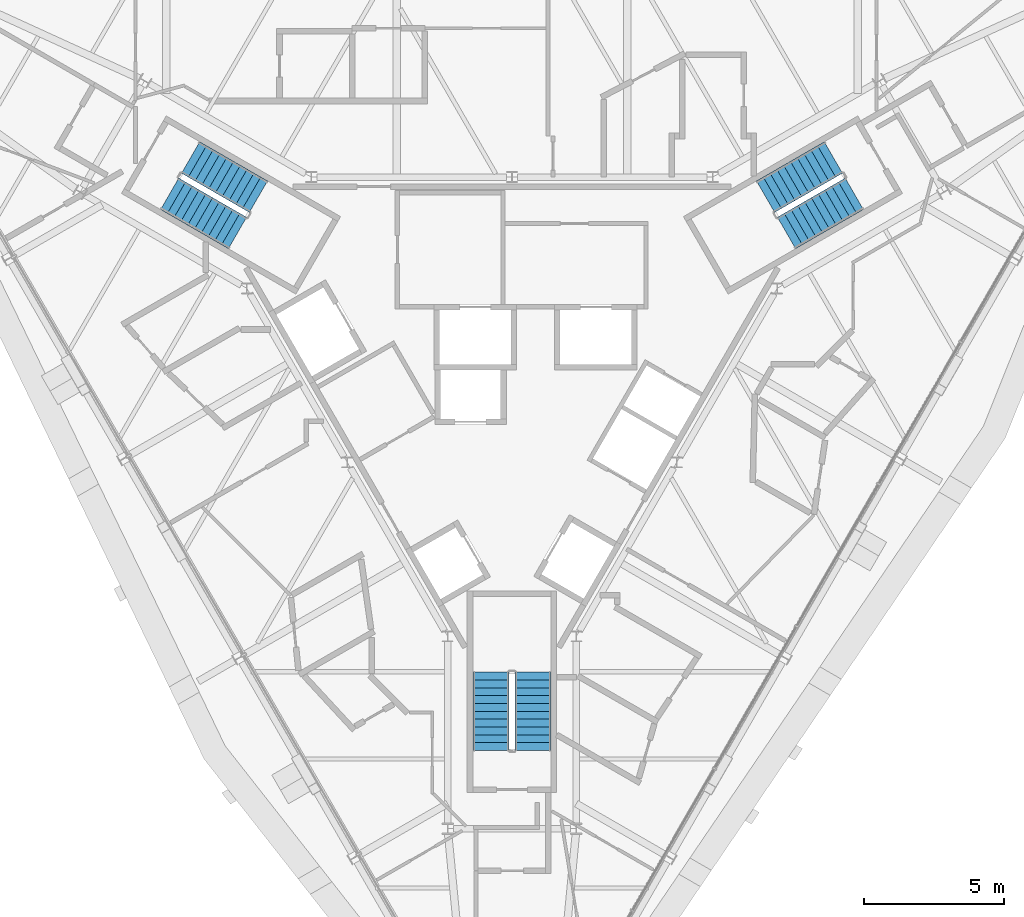
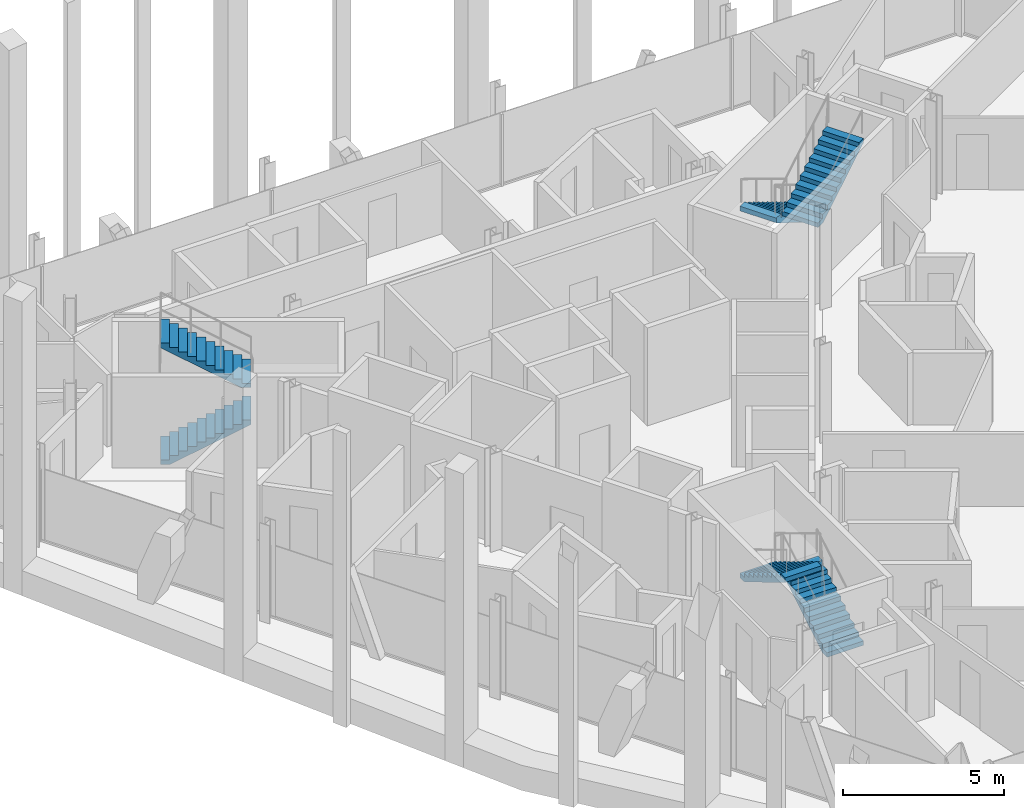
# One storey, part 13 of 15: 6 stair flights, 3 elements without a shape of their own.
"""IFC4 building model written with IfcOpenShell, lengths in metres."""

import ifcopenshell
import ifcopenshell.guid

model = None  # the IFC model being written
_history = None  # IfcOwnerHistory: only IFC2X3 demands one
_inside = {}  # id of a spatial element -> (the spatial element, [elements in it])
_under = {}  # id of a project, library or spatial element -> (it, [spatial elements below it])
_declared = {}  # id of a project -> (the project, [libraries it declares])
_typed = {}  # id of a type object -> (the type object, [elements of that type])
_made_of = {}  # id of a material, layer set ... -> (it, [elements and type objects made of it])


def new_model(schema):
    """Start an empty IFC model of exactly this schema.

    Asked for "IFC4X3", IfcOpenShell would pick the latest addendum, in which some entities
    have other attributes; the version numbers below select the first issue.
    IFC2X3 requires an IfcOwnerHistory on every rooted entity: one is made here for all.
    """
    global model, _history
    if schema == "IFC4X3":
        model = ifcopenshell.file(schema_version=(4, 3, 0, 0))
    else:
        model = ifcopenshell.file(schema=schema)
    _inside.clear()
    _under.clear()
    _declared.clear()
    _typed.clear()
    _made_of.clear()
    _history = None
    if model.schema == "IFC2X3":
        org = make("IfcOrganization", Name="unknown")
        user = make(
            "IfcPersonAndOrganization",
            ThePerson=make("IfcPerson", FamilyName="unknown"),
            TheOrganization=org,
        )
        app = make(
            "IfcApplication",
            ApplicationDeveloper=org,
            Version="unknown",
            ApplicationFullName="unknown",
            ApplicationIdentifier="unknown",
        )
        _history = make(
            "IfcOwnerHistory",
            OwningUser=user,
            OwningApplication=app,
            ChangeAction="ADDED",
            CreationDate=0,
        )
    return model


def make(cls, **values):
    """One entity of the class cls with the attributes given. An attribute that is None is left unset."""
    return model.create_entity(
        cls, **{name: value for name, value in values.items() if value is not None}
    )


def rooted(cls, **values):
    """An entity with a GlobalId (a new one), such as an element, a storey or a relation."""
    return make(cls, GlobalId=ifcopenshell.guid.new(), OwnerHistory=_history, **values)


def si_unit(unit_type, name, prefix=None):
    """IfcSIUnit, for example si_unit("LENGTHUNIT", "METRE", prefix="MILLI")."""
    return make("IfcSIUnit", UnitType=unit_type, Prefix=prefix, Name=name)


def assignment(units):
    """IfcUnitAssignment: the units of a project."""
    return None if units is None else make("IfcUnitAssignment", Units=units)


def point(xyz):
    """IfcCartesianPoint."""
    return None if xyz is None else make("IfcCartesianPoint", Coordinates=xyz)


def direction(xyz):
    """IfcDirection."""
    return None if xyz is None else make("IfcDirection", DirectionRatios=xyz)


def frame(location, z_axis=None, x_axis=None):
    """IfcAxis2Placement3D, a coordinate frame: its origin and axes. An axis left out is left unset."""
    return make(
        "IfcAxis2Placement3D",
        Location=point(location),
        Axis=direction(z_axis),
        RefDirection=direction(x_axis),
    )


def origin():
    """The frame at (0, 0, 0) with its axes left unset."""
    return frame((0.0, 0.0, 0.0))


def place(relative_to, where):
    """IfcLocalPlacement: puts the frame where relative to a parent placement (None: the world)."""
    return make(
        "IfcLocalPlacement", PlacementRelTo=relative_to, RelativePlacement=where
    )


def context(
    kind, dimensions, precision=None, world=None, true_north=None, identifier=None
):
    """IfcGeometricRepresentationContext, for example the 3D "Model" context."""
    return make(
        "IfcGeometricRepresentationContext",
        ContextIdentifier=identifier,
        ContextType=kind,
        CoordinateSpaceDimension=dimensions,
        Precision=precision,
        WorldCoordinateSystem=world,
        TrueNorth=true_north,
    )


def subcontext(parent, identifier, kind, view, scale=None):
    """IfcGeometricRepresentationSubContext, for example "Body" below "Model"."""
    return make(
        "IfcGeometricRepresentationSubContext",
        ContextIdentifier=identifier,
        ContextType=kind,
        ParentContext=parent,
        TargetScale=scale,
        TargetView=view,
    )


def project(units=None, contexts=None):
    """IfcProject with its units and contexts."""
    return rooted(
        "IfcProject",
        Name="project",
        RepresentationContexts=contexts,
        UnitsInContext=assignment(units),
    )


def spatial(cls, under=None, at=None, **own):
    """A site, building, storey or space (cls), placed at a placement, below another one or the project."""
    s = rooted(cls, ObjectPlacement=at, **own)
    if under is not None:
        _under.setdefault(under.id(), (under, []))[1].append(s)
    return s


def polyline(points):
    """IfcPolyline through the points."""
    return make("IfcPolyline", Points=[point(p) for p in points])


def outline(outer, holes=None, kind="AREA"):
    """IfcArbitraryClosedProfileDef: a profile drawn as a closed curve; with holes, ...WithVoids."""
    if holes is None:
        return make("IfcArbitraryClosedProfileDef", ProfileType=kind, OuterCurve=outer)
    return make(
        "IfcArbitraryProfileDefWithVoids",
        ProfileType=kind,
        OuterCurve=outer,
        InnerCurves=holes,
    )


def extrude(swept, where, along, depth):
    """IfcExtrudedAreaSolid: the profile swept, set in the frame where, extruded along a direction by depth."""
    return make(
        "IfcExtrudedAreaSolid",
        SweptArea=swept,
        Position=where,
        ExtrudedDirection=direction(along),
        Depth=depth,
    )


def shape(context_of_items, identifier, shape_type, items):
    """IfcShapeRepresentation: the items that make up one representation, for example the "Body"."""
    return make(
        "IfcShapeRepresentation",
        ContextOfItems=context_of_items,
        RepresentationIdentifier=identifier,
        RepresentationType=shape_type,
        Items=items,
    )


def material(Name=None, Category=None):
    """IfcMaterial."""
    return make("IfcMaterial", Name=Name, Category=Category)


def made_of(thing, what):
    """Note that an element or type object is made of a material, layer set ...; save() writes the relation."""
    if what is not None:
        _made_of.setdefault(what.id(), (what, []))[1].append(thing)
    return thing


def type_object(cls, material=None, **own):
    """A type object (cls), such as IfcWallType, which elements share."""
    return made_of(rooted(cls, **own), material)


def element(
    cls,
    number,
    at=None,
    inside=None,
    cuts=None,
    type_object=None,
    material=None,
    context=None,
    identifier="Body",
    shape_type=None,
    held_by="IfcProductDefinitionShape",
    body=None,
    shapes=None,
    **own,
):
    """One element of the class cls, such as IfcWall. Its Tag is "e" and its number.

    at: its placement. inside: the storey or other place that contains it. cuts: it is an
    opening in that element (IfcRelVoidsElement). A single representation is given by context,
    identifier, shape_type and body (its items); several are given by shapes. held_by: the class
    of the entity that holds the representations. save() writes the other relations.
    """
    e = rooted(cls, Tag="e%d" % number, ObjectPlacement=at, **own)
    if body is not None:
        shapes = [shape(context, identifier, shape_type, body)]
    if shapes is not None:
        e.Representation = make(held_by, Representations=shapes)
    if inside is not None:
        _inside.setdefault(inside.id(), (inside, []))[1].append(e)
    if cuts is not None:
        rooted(
            "IfcRelVoidsElement", RelatingBuildingElement=cuts, RelatedOpeningElement=e
        )
    if type_object is not None:
        _typed.setdefault(type_object.id(), (type_object, []))[1].append(e)
    return made_of(e, material)


def aggregate(whole, parts):
    """IfcRelAggregates: a whole, such as a stair, and the parts it consists of."""
    return rooted("IfcRelAggregates", RelatingObject=whole, RelatedObjects=parts)


def save(model, path):
    """Write the relations noted so far, then the file.

    IfcRelAggregates (storeys below a building ...), IfcRelContainedInSpatialStructure (elements
    in a storey), IfcRelDefinesByType, IfcRelAssociatesMaterial and IfcRelDeclares: one each for
    every whole, place, type object, material and project.
    """
    for whole, parts in _under.values():
        aggregate(whole, parts)
    for where, things in _inside.values():
        rooted(
            "IfcRelContainedInSpatialStructure",
            RelatedElements=things,
            RelatingStructure=where,
        )
    for kind, things in _typed.values():
        rooted("IfcRelDefinesByType", RelatedObjects=things, RelatingType=kind)
    for what, things in _made_of.values():
        rooted("IfcRelAssociatesMaterial", RelatedObjects=things, RelatingMaterial=what)
    for by, libraries in _declared.values():
        rooted("IfcRelDeclares", RelatingContext=by, RelatedDefinitions=libraries)
    model.write(path)


model = new_model("IFC4")

# Units and contexts
model_context = context("Model", 3, precision=1e-05, world=origin(), true_north=direction((0.0, 1.0)))
body_context = subcontext(model_context, "Body", "Model", "MODEL_VIEW")
ifc_project = project(units=[si_unit("LENGTHUNIT", "METRE"), si_unit("AREAUNIT", "SQUARE_METRE"), si_unit("VOLUMEUNIT", "CUBIC_METRE"), si_unit("PLANEANGLEUNIT", "RADIAN"), si_unit("MASSUNIT", "GRAM", prefix="KILO")], contexts=[model_context])

# Site, building, storey
site_placement = place(None, origin())
site = spatial("IfcSite", under=ifc_project, at=site_placement, CompositionType="ELEMENT")
building_placement = place(site_placement, origin())
building = spatial("IfcBuilding", under=site, at=building_placement, Name="Verrane Prism Tower", CompositionType="ELEMENT")
storey_placement = place(building_placement, frame((0.0, 0.0, 297.300048828125)))
storey = spatial("IfcBuildingStorey", under=building, at=storey_placement, Name="L75", CompositionType="ELEMENT", Elevation=297.300048828125)

# Stair, stair flights
ifc_material_1 = material(Name="Concrete C40/50", Category="concrete")
stair_type = type_object("IfcStairType", Name="Exit stair 1300 dog-leg precast concrete C40/50", PredefinedType="HALF_TURN_STAIR", material=ifc_material_1)
stair_1_placement = place(storey_placement, origin())
stair_1 = element("IfcStair", 1, at=stair_1_placement, inside=storey, type_object=stair_type, Name="Stair 1 L75", PredefinedType="HALF_TURN_STAIR")
ifc_material_2 = material(Name="Concrete C40/50", Category="concrete")
stair_flight_type = type_object("IfcStairFlightType", Name="Stair flight 1300 precast concrete C40/50", PredefinedType="STRAIGHT", material=ifc_material_2)
stair_flight_1_placement = place(storey_placement, frame((11.489501953125, 7.49951171875, 0.0), z_axis=(0.0, 0.0, 1.0), x_axis=(-0.866025403784, -0.5, 0.0)))
stair_flight_1 = element("IfcStairFlight", 2, at=stair_flight_1_placement, type_object=stair_flight_type, Name="Stair 1 flight 1", NumberOfRisers=11, NumberOfTreads=10, PredefinedType="STRAIGHT", RiserHeight=0.168181818, TreadLength=0.28, context=body_context, shape_type="SweptSolid", body=[
    extrude(outline(polyline([(0.0, 0.0), (0.0, 0.168212890625), (0.280029296875, 0.168212890625), (0.280029296875, 0.33642578125), (0.56005859375, 0.33642578125), (0.56005859375, 0.504638671875), (0.840087890625, 0.504638671875), (0.840087890625, 0.672607421875), (1.1201171875, 0.672607421875), (1.1201171875, 0.8408203125), (1.39990234375, 0.8408203125), (1.39990234375, 1.009033203125), (1.679931640625, 1.009033203125), (1.679931640625, 1.17724609375), (1.9599609375, 1.17724609375), (1.9599609375, 1.345458984375), (2.239990234375, 1.345458984375), (2.239990234375, 1.513671875), (2.52001953125, 1.513671875), (2.52001953125, 1.681884765625), (2.800048828125, 1.681884765625), (2.800048828125, 1.85009765625), (2.800048828125, 1.5068359375), (0.291015625, 0.0), (0.0, 0.0)])), frame((0.0, 0.64990234375, 0.0), z_axis=(0.0, -1.0, 0.0), x_axis=(1.0, 0.0, 0.0)), (0.0, 0.0, 1.0), 1.300048828125),
])
stair_flight_2_placement = place(storey_placement, frame((9.814697265625, 4.800537109375, 1.849853515625), z_axis=(0.0, 0.0, 1.0), x_axis=(0.866025403784, 0.5, 0.0)))
stair_flight_2 = element("IfcStairFlight", 3, at=stair_flight_2_placement, type_object=stair_flight_type, Name="Stair 1 flight 2", NumberOfRisers=11, NumberOfTreads=10, PredefinedType="STRAIGHT", RiserHeight=0.168181818, TreadLength=0.28, context=body_context, shape_type="SweptSolid", body=[
    extrude(outline(polyline([(0.0, 0.0), (0.0, 0.168212890625), (0.280029296875, 0.168212890625), (0.280029296875, 0.33642578125), (0.56005859375, 0.33642578125), (0.56005859375, 0.504638671875), (0.840087890625, 0.504638671875), (0.840087890625, 0.672607421875), (1.1201171875, 0.672607421875), (1.1201171875, 0.8408203125), (1.39990234375, 0.8408203125), (1.39990234375, 1.009033203125), (1.679931640625, 1.009033203125), (1.679931640625, 1.17724609375), (1.9599609375, 1.17724609375), (1.9599609375, 1.345458984375), (2.239990234375, 1.345458984375), (2.239990234375, 1.513671875), (2.52001953125, 1.513671875), (2.52001953125, 1.681884765625), (2.800048828125, 1.681884765625), (2.800048828125, 1.85009765625), (2.800048828125, 1.5068359375), (0.291015625, 0.0), (0.0, 0.0)])), frame((0.0, 0.64990234375, 0.0), z_axis=(0.0, -1.0, 0.0), x_axis=(1.0, 0.0, 0.0)), (0.0, 0.0, 1.0), 1.300048828125),
])
aggregate(stair_1, [stair_flight_1, stair_flight_2])

stair_2_placement = place(storey_placement, origin())
stair_2 = element("IfcStair", 4, at=stair_2_placement, inside=storey, type_object=stair_type, Name="Stair 2 L75", PredefinedType="HALF_TURN_STAIR")
stair_flight_3_placement = place(storey_placement, frame((-12.239501953125, 6.200439453125, 0.0), z_axis=(0.0, 0.0, 1.0), x_axis=(0.866025403784, -0.5, 0.0)))
stair_flight_3 = element("IfcStairFlight", 5, at=stair_flight_3_placement, type_object=stair_flight_type, Name="Stair 2 flight 1", NumberOfRisers=11, NumberOfTreads=10, PredefinedType="STRAIGHT", RiserHeight=0.168181818, TreadLength=0.28, context=body_context, shape_type="SweptSolid", body=[
    extrude(outline(polyline([(0.0, 0.0), (0.0, 0.168212890625), (0.280029296875, 0.168212890625), (0.280029296875, 0.33642578125), (0.56005859375, 0.33642578125), (0.56005859375, 0.504638671875), (0.840087890625, 0.504638671875), (0.840087890625, 0.672607421875), (1.1201171875, 0.672607421875), (1.1201171875, 0.8408203125), (1.39990234375, 0.8408203125), (1.39990234375, 1.009033203125), (1.679931640625, 1.009033203125), (1.679931640625, 1.17724609375), (1.9599609375, 1.17724609375), (1.9599609375, 1.345458984375), (2.239990234375, 1.345458984375), (2.239990234375, 1.513671875), (2.52001953125, 1.513671875), (2.52001953125, 1.681884765625), (2.800048828125, 1.681884765625), (2.800048828125, 1.85009765625), (2.800048828125, 1.5068359375), (0.291015625, 0.0), (0.0, 0.0)])), frame((0.0, 0.64990234375, 0.0), z_axis=(0.0, -1.0, 0.0), x_axis=(1.0, 0.0, 0.0)), (0.0, 0.0, 1.0), 1.300048828125),
])
stair_flight_4_placement = place(storey_placement, frame((-9.064697265625, 6.099609375, 1.849853515625), z_axis=(0.0, 0.0, 1.0), x_axis=(-0.866025403784, 0.5, 0.0)))
stair_flight_4 = element("IfcStairFlight", 6, at=stair_flight_4_placement, type_object=stair_flight_type, Name="Stair 2 flight 2", NumberOfRisers=11, NumberOfTreads=10, PredefinedType="STRAIGHT", RiserHeight=0.168181818, TreadLength=0.28, context=body_context, shape_type="SweptSolid", body=[
    extrude(outline(polyline([(0.0, 0.0), (0.0, 0.168212890625), (0.280029296875, 0.168212890625), (0.280029296875, 0.33642578125), (0.56005859375, 0.33642578125), (0.56005859375, 0.504638671875), (0.840087890625, 0.504638671875), (0.840087890625, 0.672607421875), (1.1201171875, 0.672607421875), (1.1201171875, 0.8408203125), (1.39990234375, 0.8408203125), (1.39990234375, 1.009033203125), (1.679931640625, 1.009033203125), (1.679931640625, 1.17724609375), (1.9599609375, 1.17724609375), (1.9599609375, 1.345458984375), (2.239990234375, 1.345458984375), (2.239990234375, 1.513671875), (2.52001953125, 1.513671875), (2.52001953125, 1.681884765625), (2.800048828125, 1.681884765625), (2.800048828125, 1.85009765625), (2.800048828125, 1.5068359375), (0.291015625, 0.0), (0.0, 0.0)])), frame((0.0, 0.64990234375, 0.0), z_axis=(0.0, -1.0, 0.0), x_axis=(1.0, 0.0, 0.0)), (0.0, 0.0, 1.0), 1.300048828125),
])
aggregate(stair_2, [stair_flight_3, stair_flight_4])

stair_3_placement = place(storey_placement, origin())
stair_3 = element("IfcStair", 7, at=stair_3_placement, inside=storey, type_object=stair_type, Name="Stair 3 L75", PredefinedType="HALF_TURN_STAIR")
stair_flight_5_placement = place(storey_placement, frame((0.75, -13.699951171875, 0.0), z_axis=(0.0, 0.0, 1.0), x_axis=(0.0, 1.0, 0.0)))
stair_flight_5 = element("IfcStairFlight", 8, at=stair_flight_5_placement, type_object=stair_flight_type, Name="Stair 3 flight 1", NumberOfRisers=11, NumberOfTreads=10, PredefinedType="STRAIGHT", RiserHeight=0.168181818, TreadLength=0.28, context=body_context, shape_type="SweptSolid", body=[
    extrude(outline(polyline([(0.0, 0.0), (0.0, 0.168212890625), (0.280029296875, 0.168212890625), (0.280029296875, 0.33642578125), (0.56005859375, 0.33642578125), (0.56005859375, 0.504638671875), (0.840087890625, 0.504638671875), (0.840087890625, 0.672607421875), (1.1201171875, 0.672607421875), (1.1201171875, 0.8408203125), (1.39990234375, 0.8408203125), (1.39990234375, 1.009033203125), (1.679931640625, 1.009033203125), (1.679931640625, 1.17724609375), (1.9599609375, 1.17724609375), (1.9599609375, 1.345458984375), (2.239990234375, 1.345458984375), (2.239990234375, 1.513671875), (2.52001953125, 1.513671875), (2.52001953125, 1.681884765625), (2.800048828125, 1.681884765625), (2.800048828125, 1.85009765625), (2.800048828125, 1.5068359375), (0.291015625, 0.0), (0.0, 0.0)])), frame((0.0, 0.64990234375, 0.0), z_axis=(0.0, -1.0, 0.0), x_axis=(1.0, 0.0, 0.0)), (0.0, 0.0, 1.0), 1.300048828125),
])
stair_flight_6_placement = place(storey_placement, frame((-0.75, -10.89990234375, 1.849853515625), z_axis=(0.0, 0.0, 1.0), x_axis=(0.0, -1.0, 0.0)))
stair_flight_6 = element("IfcStairFlight", 9, at=stair_flight_6_placement, type_object=stair_flight_type, Name="Stair 3 flight 2", NumberOfRisers=11, NumberOfTreads=10, PredefinedType="STRAIGHT", RiserHeight=0.168181818, TreadLength=0.28, context=body_context, shape_type="SweptSolid", body=[
    extrude(outline(polyline([(0.0, 0.0), (0.0, 0.168212890625), (0.280029296875, 0.168212890625), (0.280029296875, 0.33642578125), (0.56005859375, 0.33642578125), (0.56005859375, 0.504638671875), (0.840087890625, 0.504638671875), (0.840087890625, 0.672607421875), (1.1201171875, 0.672607421875), (1.1201171875, 0.8408203125), (1.39990234375, 0.8408203125), (1.39990234375, 1.009033203125), (1.679931640625, 1.009033203125), (1.679931640625, 1.17724609375), (1.9599609375, 1.17724609375), (1.9599609375, 1.345458984375), (2.239990234375, 1.345458984375), (2.239990234375, 1.513671875), (2.52001953125, 1.513671875), (2.52001953125, 1.681884765625), (2.800048828125, 1.681884765625), (2.800048828125, 1.85009765625), (2.800048828125, 1.5068359375), (0.291015625, 0.0), (0.0, 0.0)])), frame((0.0, 0.64990234375, 0.0), z_axis=(0.0, -1.0, 0.0), x_axis=(1.0, 0.0, 0.0)), (0.0, 0.0, 1.0), 1.300048828125),
])
aggregate(stair_3, [stair_flight_5, stair_flight_6])

save(model, "model.ifc")
